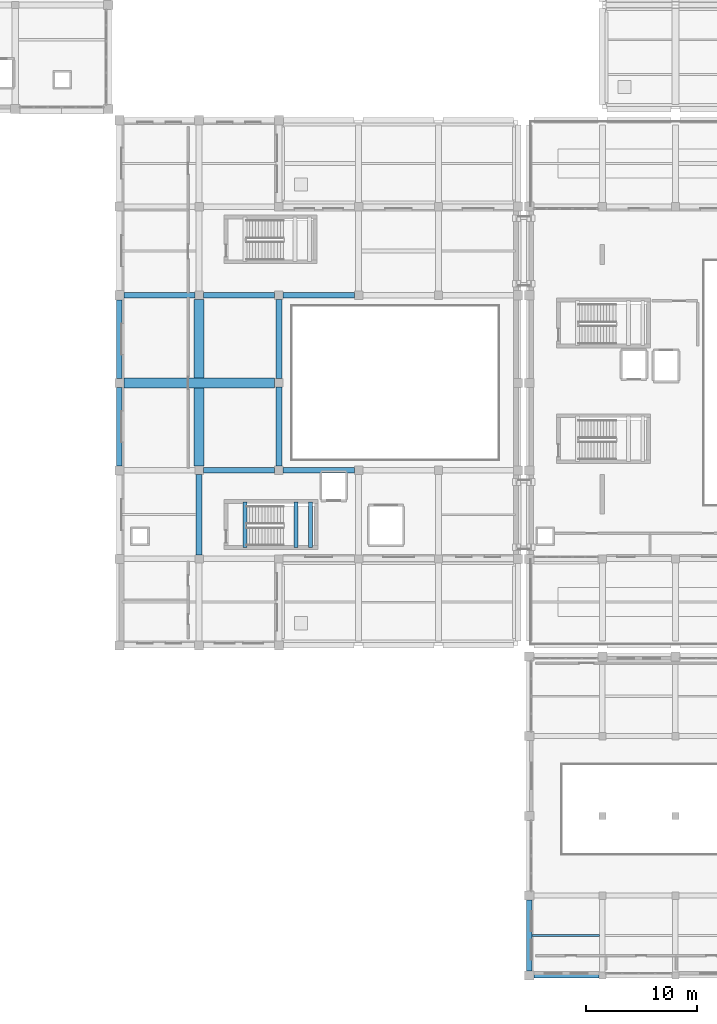
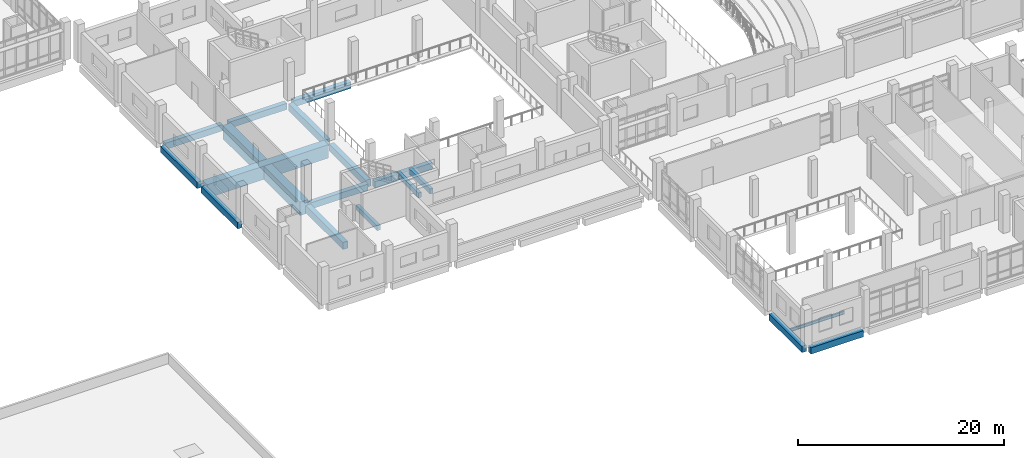
# One storey, part 2 of 54: 18 beams.
"""IFC4 building model written with IfcOpenShell, lengths in metres."""

from ifc_helpers import new_model, si_unit, direction, frame, origin, origin_2d, place, context, subcontext, project, spatial, rectangle, i_section, extrude, material, material_profile, profile_set, type_object, element, save


model = new_model("IFC4")

# Units and contexts
model_context = context("Model", 3, precision=1e-05, world=origin(), true_north=direction((0.0, 1.0)))
body_context = subcontext(model_context, "Body", "Model", "MODEL_VIEW")
ifc_project = project(units=[si_unit("LENGTHUNIT", "METRE"), si_unit("AREAUNIT", "SQUARE_METRE"), si_unit("VOLUMEUNIT", "CUBIC_METRE"), si_unit("PLANEANGLEUNIT", "RADIAN"), si_unit("MASSUNIT", "GRAM", prefix="KILO")], contexts=[model_context])

# Site, building, storey
site_placement = place(None, origin())
site = spatial("IfcSite", under=ifc_project, at=site_placement, CompositionType="ELEMENT")
building_placement = place(site_placement, origin())
building = spatial("IfcBuilding", under=site, at=building_placement, Name="Kelarvand Opera House", CompositionType="ELEMENT")
storey_placement = place(building_placement, frame((0.0, 0.0, 15.0)))
storey = spatial("IfcBuildingStorey", under=building, at=storey_placement, Name="L03", CompositionType="ELEMENT", Elevation=15.0)

# Beams
ifc_material_1 = material(Name="Concrete C35/45", Category="concrete")
ifc_material_profile_1 = material_profile(ifc_material_1, rectangle(XDim=0.35009765625, YDim=0.60009765625, at=origin_2d()), Name="RC 350x600", Category="concrete")
ifc_profile_set_1 = profile_set([ifc_material_profile_1], Name="Concrete C35/45")
beam_type_1 = type_object("IfcBeamType", Name="Structural Beam RC 350x600 BM-RC350x600", PredefinedType="BEAM", material=ifc_profile_set_1)
for number, where, z_axis, x_axis, name in (
    (1, (63.340087890625, 47.64990234375, -0.52001953125), (0.0, 1.0, 0.0), (-1.0, 0.0, 0.0), "C2 Stair Landing Support Beam L03"),
    (2, (67.949951171875, 47.64990234375, 1.75), (0.0, 1.0, 0.0), (-1.0, 0.0, 0.0), "C2 Stair Half-Landing Beam 1 L03"),
    (3, (69.25, 47.64990234375, 1.75), (0.0, 1.0, 0.0), (-1.0, 0.0, 0.0), "C2 Stair Half-Landing Beam 2 L03"),
):
    element("IfcBeam", number, at=place(storey_placement, frame(where, z_axis=z_axis, x_axis=x_axis)), inside=storey, type_object=beam_type_1, Name=name, PredefinedType="BEAM", context=body_context, shape_type="SweptSolid", body=[
        extrude(rectangle(XDim=0.35009765625, YDim=0.60009765625, at=origin_2d()), origin(), (0.0, 0.0, 1.0), 4.10009765625),
    ])
ifc_material_2 = material(Name="Concrete C40/50", Category="concrete")
ifc_material_profile_2 = material_profile(ifc_material_2, rectangle(XDim=0.5, YDim=0.75, at=origin_2d()), Name="RC 500x750", Category="concrete")
ifc_profile_set_2 = profile_set([ifc_material_profile_2], Name="Concrete C40/50")
beam_type_2 = type_object("IfcBeamType", Name="Structural Beam RC 500x750 BM-RC500x750", PredefinedType="BEAM", material=ifc_profile_set_2)
beam_1_placement = place(storey_placement, frame((59.574951171875, 54.60009765625, -0.695068359375), z_axis=(1.0, 0.0, 0.0), x_axis=(0.0, 1.0, 0.0)))
element("IfcBeam", 4, at=beam_1_placement, inside=storey, type_object=beam_type_2, Name="V2 L03 Beam BM-RC500x750", PredefinedType="BEAM", context=body_context, shape_type="SweptSolid", body=[
    extrude(rectangle(XDim=0.5, YDim=0.75, at=origin_2d()), origin(), (0.0, 0.0, 1.0), 6.449951171875),
])
beam_2_placement = place(storey_placement, frame((66.77490234375, 54.60009765625, -0.695068359375), z_axis=(1.0, 0.0, 0.0), x_axis=(0.0, 1.0, 0.0)))
element("IfcBeam", 5, at=beam_2_placement, inside=storey, type_object=beam_type_2, Name="V2 L03 Beam BM-RC500x750", PredefinedType="BEAM", context=body_context, shape_type="SweptSolid", body=[
    extrude(rectangle(XDim=0.5, YDim=0.75, at=origin_2d()), origin(), (0.0, 0.0, 1.0), 6.4501953125),
])
beam_3_placement = place(storey_placement, frame((52.409912109375, 70.39990234375, -0.695068359375), z_axis=(1.0, 0.0, 0.0), x_axis=(0.0, 1.0, 0.0)))
element("IfcBeam", 6, at=beam_3_placement, inside=storey, type_object=beam_type_2, Name="V2 L03 Beam BM-RC500x750", PredefinedType="BEAM", context=body_context, shape_type="SweptSolid", body=[
    extrude(rectangle(XDim=0.5, YDim=0.75, at=origin_2d()), origin(), (0.0, 0.0, 1.0), 6.4150390625),
])
beam_4_placement = place(storey_placement, frame((59.574951171875, 70.39990234375, -0.695068359375), z_axis=(1.0, 0.0, 0.0), x_axis=(0.0, 1.0, 0.0)))
element("IfcBeam", 7, at=beam_4_placement, inside=storey, type_object=beam_type_2, Name="V2 L03 Beam BM-RC500x750", PredefinedType="BEAM", context=body_context, shape_type="SweptSolid", body=[
    extrude(rectangle(XDim=0.5, YDim=0.75, at=origin_2d()), origin(), (0.0, 0.0, 1.0), 6.449951171875),
])
beam_5_placement = place(storey_placement, frame((66.77490234375, 70.39990234375, -0.695068359375), z_axis=(1.0, 0.0, 0.0), x_axis=(0.0, 1.0, 0.0)))
element("IfcBeam", 8, at=beam_5_placement, inside=storey, type_object=beam_type_2, Name="V2 L03 Beam BM-RC500x750", PredefinedType="BEAM", context=body_context, shape_type="SweptSolid", body=[
    extrude(rectangle(XDim=0.5, YDim=0.75, at=origin_2d()), origin(), (0.0, 0.0, 1.0), 6.4501953125),
])
ifc_material_profile_3 = material_profile(ifc_material_2, rectangle(XDim=0.550048828125, YDim=0.85009765625, at=origin_2d()), Name="RC 550x850", Category="concrete")
ifc_profile_set_3 = profile_set([ifc_material_profile_3], Name="Concrete C40/50")
beam_type_3 = type_object("IfcBeamType", Name="Structural Beam RC 550x850 BM-RC550x850", PredefinedType="BEAM", material=ifc_profile_set_3)
beam_6_placement = place(storey_placement, frame((59.199951171875, 46.97509765625, -0.7451171875), z_axis=(0.0, 1.0, 0.0), x_axis=(-1.0, 0.0, 0.0)))
element("IfcBeam", 9, at=beam_6_placement, inside=storey, type_object=beam_type_3, Name="V2 L03 Beam BM-RC550x850", PredefinedType="BEAM", context=body_context, shape_type="SweptSolid", body=[
    extrude(rectangle(XDim=0.550048828125, YDim=0.85009765625, at=origin_2d()), origin(), (0.0, 0.0, 1.0), 7.25),
])
for number, where, z_axis, x_axis, name in (
    (10, (66.39990234375, 54.97509765625, -0.7451171875), (0.0, 1.0, 0.0), (-1.0, 0.0, 0.0), "V2 L03 Beam BM-RC550x850"),
    (11, (66.39990234375, 62.875, -0.7451171875), (0.0, 1.0, 0.0), (-1.0, 0.0, 0.0), "V2 L03 Beam BM-RC550x850"),
):
    element("IfcBeam", number, at=place(storey_placement, frame(where, z_axis=z_axis, x_axis=x_axis)), inside=storey, type_object=beam_type_3, Name=name, PredefinedType="BEAM", context=body_context, shape_type="SweptSolid", body=[
        extrude(rectangle(XDim=0.550048828125, YDim=0.85009765625, at=origin_2d()), origin(), (0.0, 0.0, 1.0), 7.14990234375),
    ])
ifc_material_profile_4 = material_profile(ifc_material_2, rectangle(XDim=0.89990234375, YDim=1.60009765625, at=origin_2d()), Name="RC 900x1600", Category="concrete")
ifc_profile_set_4 = profile_set([ifc_material_profile_4], Name="Concrete C40/50")
beam_type_4 = type_object("IfcBeamType", Name="Structural Beam RC 900x1600 BM-RC900x1600", PredefinedType="BEAM", material=ifc_profile_set_4)
beam_7_placement = place(storey_placement, frame((52.409912109375, 62.5, -1.1201171875), z_axis=(1.0, 0.0, 0.0), x_axis=(0.0, 1.0, 0.0)))
element("IfcBeam", 12, at=beam_7_placement, inside=storey, type_object=beam_type_4, Name="V2 L03 Beam BM-RC900x1600", PredefinedType="BEAM", context=body_context, shape_type="SweptSolid", body=[
    extrude(rectangle(XDim=0.89990234375, YDim=1.60009765625, at=origin_2d()), origin(), (0.0, 0.0, 1.0), 13.614990234375),
])
beam_8_placement = place(storey_placement, frame((59.199951171875, 54.97509765625, -1.1201171875), z_axis=(0.0, 1.0, 0.0), x_axis=(-1.0, 0.0, 0.0)))
element("IfcBeam", 13, at=beam_8_placement, inside=storey, type_object=beam_type_4, Name="V2 L03 Beam BM-RC900x1600", PredefinedType="BEAM", context=body_context, shape_type="SweptSolid", body=[
    extrude(rectangle(XDim=0.89990234375, YDim=1.60009765625, at=origin_2d()), origin(), (0.0, 0.0, 1.0), 15.0498046875),
])
ifc_material_3 = material(Name="Steel S355", Category="steel")
ifc_material_profile_5 = material_profile(ifc_material_3, i_section(OverallWidth=0.169921875, OverallDepth=0.360107421875, WebThickness=0.008056640625, FlangeThickness=0.0126953125, at=origin_2d()), Name="IPE 360", Category="steel")
ifc_profile_set_5 = profile_set([ifc_material_profile_5], Name="Steel S355")
beam_type_5 = type_object("IfcBeamType", Name="Structural Joist IPE 360 JS-IPE360", PredefinedType="JOIST", material=ifc_profile_set_5)
beam_9_placement = place(storey_placement, frame((89.25, 12.60009765625, -0.47998046875), z_axis=(1.0, 0.0, 0.0), x_axis=(0.0, 1.0, 0.0)))
element("IfcBeam", 14, at=beam_9_placement, inside=storey, type_object=beam_type_5, Name="V6 L03 Beam JS-IPE360", PredefinedType="JOIST", context=body_context, shape_type="SweptSolid", body=[
    extrude(i_section(OverallWidth=0.169921875, OverallDepth=0.360107421875, WebThickness=0.008056640625, FlangeThickness=0.0126953125, at=origin_2d()), origin(), (0.0, 0.0, 1.0), 6.10009765625),
])
ifc_material_profile_6 = material_profile(ifc_material_2, rectangle(XDim=0.5, YDim=0.75, at=origin_2d()), Name="RC 500x750", Category="concrete")
ifc_profile_set_6 = profile_set([ifc_material_profile_6], Name="Concrete C40/50")
beam_type_6 = type_object("IfcBeamType", Name="Structural Spandrel RC 500x750 SP-RC500x750E", PredefinedType="SPANDREL", material=ifc_profile_set_6)
for number, where, z_axis, x_axis, name in (
    (15, (52.0, 55.010009765625, -0.695068359375), (0.0, 1.0, 0.0), (-1.0, 0.0, 0.0), "V2 L03 Beam SP-RC500x750E"),
    (16, (52.0, 62.909912109375, -0.695068359375), (0.0, 1.0, 0.0), (-1.0, 0.0, 0.0), "V2 L03 Beam SP-RC500x750E"),
):
    element("IfcBeam", number, at=place(storey_placement, frame(where, z_axis=z_axis, x_axis=x_axis)), inside=storey, type_object=beam_type_6, Name=name, PredefinedType="SPANDREL", context=body_context, shape_type="SweptSolid", body=[
        extrude(rectangle(XDim=0.5, YDim=0.75, at=origin_2d()), origin(), (0.0, 0.0, 1.0), 7.080078125),
    ])
beam_10_placement = place(storey_placement, frame((89.409912109375, 9.0, -0.675048828125), z_axis=(1.0, 0.0, 0.0), x_axis=(0.0, 1.0, 0.0)))
element("IfcBeam", 17, at=beam_10_placement, inside=storey, type_object=beam_type_6, Name="V6 L03 Beam SP-RC500x750E", PredefinedType="SPANDREL", context=body_context, shape_type="SweptSolid", body=[
    extrude(rectangle(XDim=0.5, YDim=0.75, at=origin_2d()), origin(), (0.0, 0.0, 1.0), 5.864990234375),
])
beam_11_placement = place(storey_placement, frame((89.0, 9.409912109375, -0.675048828125), z_axis=(0.0, 1.0, 0.0), x_axis=(-1.0, 0.0, 0.0)))
element("IfcBeam", 18, at=beam_11_placement, inside=storey, type_object=beam_type_6, Name="V6 L03 Beam SP-RC500x750E", PredefinedType="SPANDREL", context=body_context, shape_type="SweptSolid", body=[
    extrude(rectangle(XDim=0.5, YDim=0.75, at=origin_2d()), origin(), (0.0, 0.0, 1.0), 6.380126953125),
])

save(model, "model.ifc")
